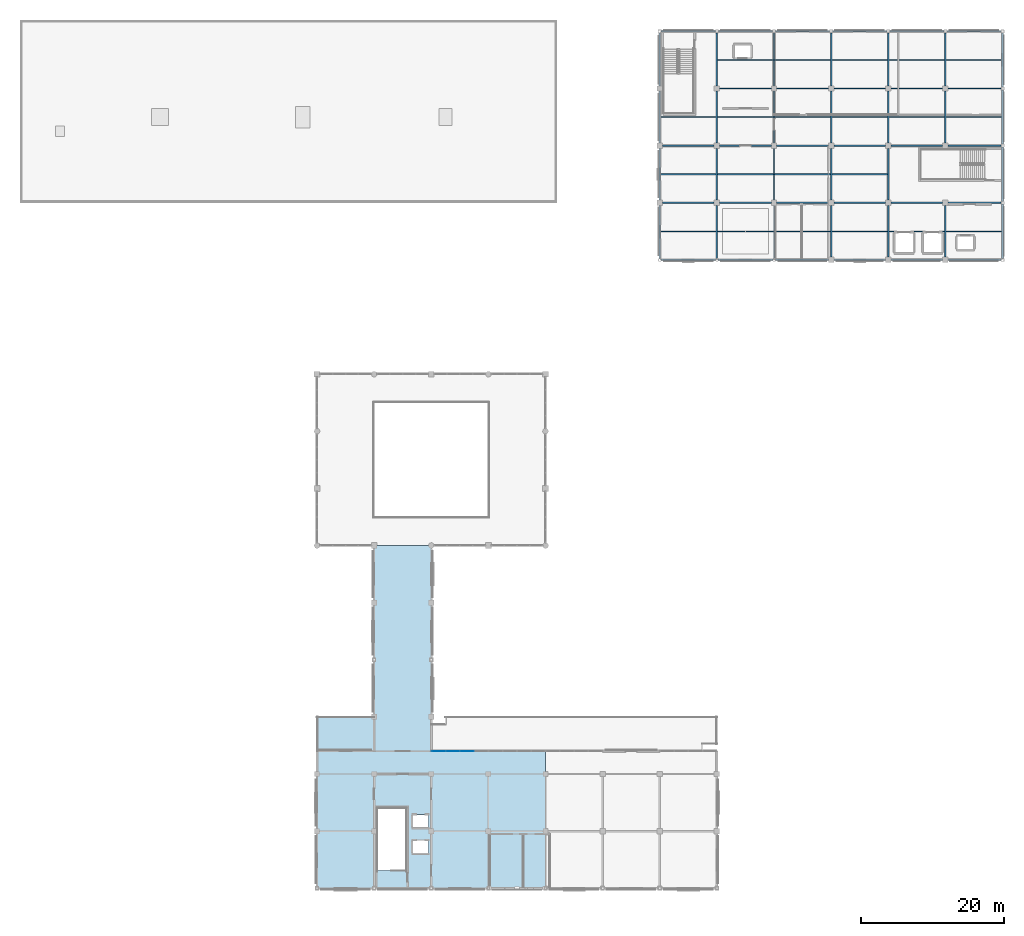
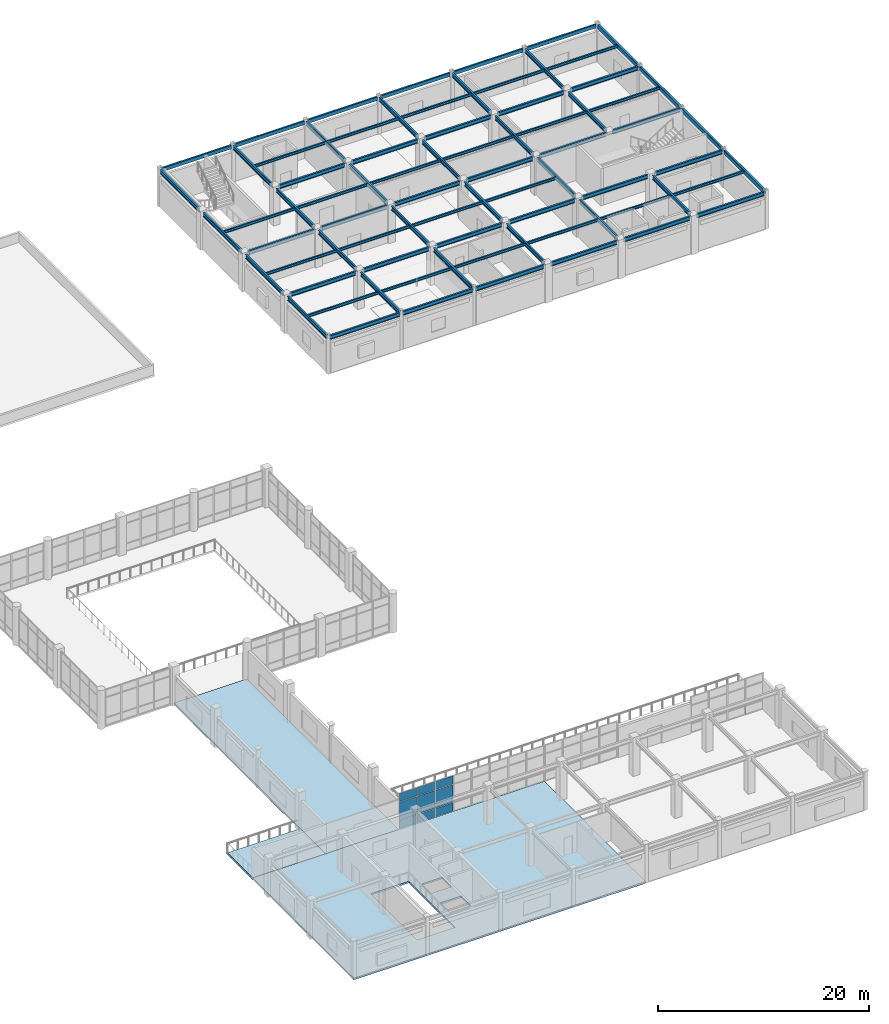
# One storey, part 26 of 42: 77 beams, 9 plates, 3 slabs, 1 element without a shape of its own.
"""IFC4 building model written with IfcOpenShell, lengths in metres."""

from ifc_helpers import new_model, si_unit, direction, frame, origin, origin_2d, place, context, subcontext, project, spatial, polyline, rectangle, hollow_rectangle, i_section, outline, extrude, material, layer, layer_set, material_profile, profile_set, type_object, element, aggregate, save


model = new_model("IFC4")

# Units and contexts
model_context = context("Model", 3, precision=1e-05, world=origin(), true_north=direction((0.0, 1.0)))
body_context = subcontext(model_context, "Body", "Model", "MODEL_VIEW")
ifc_project = project(units=[si_unit("LENGTHUNIT", "METRE"), si_unit("AREAUNIT", "SQUARE_METRE"), si_unit("VOLUMEUNIT", "CUBIC_METRE"), si_unit("PLANEANGLEUNIT", "RADIAN"), si_unit("MASSUNIT", "GRAM", prefix="KILO")], contexts=[model_context])

# Site, building, storey
site_placement = place(None, origin())
site = spatial("IfcSite", under=ifc_project, at=site_placement, CompositionType="ELEMENT")
building_placement = place(site_placement, origin())
building = spatial("IfcBuilding", under=site, at=building_placement, Name="Solmirada Galleria", CompositionType="ELEMENT")
storey_placement = place(building_placement, frame((0.0, 0.0, 28.39990234375)))
storey = spatial("IfcBuildingStorey", under=building, at=storey_placement, Name="L06", CompositionType="ELEMENT", Elevation=28.39990234375)

# Beams
ifc_material_1 = material(Name="Steel S355 / ASTM A992 Grade 50", Category="steel")
ifc_material_profile_1 = material_profile(ifc_material_1, i_section(OverallWidth=0.194091796875, OverallDepth=0.468994140625, WebThickness=0.0126953125, FlangeThickness=0.0205078125, FilletRadius=0.013916015625, at=origin_2d()), Name="W18X71")
ifc_profile_set_1 = profile_set([ifc_material_profile_1], Name="Steel S355 / ASTM A992 Grade 50")
beam_type_1 = type_object("IfcBeamType", Name="BM-GIRD-W18B", PredefinedType="BEAM", material=ifc_profile_set_1)
for number, where, z_axis, x_axis, name in (
    (1, (128.375, 96.0, 4.065673828125), (1.0, 0.0, 0.0), (0.0, 1.0, 0.0), "Primary beam L07 X(128..136, 96)"),
    (2, (136.375, 96.0, 4.065673828125), (1.0, 0.0, 0.0), (0.0, 1.0, 0.0), "Primary beam L07 X(136..144, 96)"),
    (3, (136.375, 112.0, 4.065673828125), (1.0, 0.0, 0.0), (0.0, 1.0, 0.0), "Primary beam L07 X(136..144, 112)"),
    (4, (144.375, 96.0, 4.065673828125), (1.0, 0.0, 0.0), (0.0, 1.0, 0.0), "Primary beam L07 X(144..152, 96)"),
    (5, (144.375, 112.0, 4.065673828125), (1.0, 0.0, 0.0), (0.0, 1.0, 0.0), "Primary beam L07 X(144..152, 112)"),
    (6, (152.375, 96.0, 4.065673828125), (1.0, 0.0, 0.0), (0.0, 1.0, 0.0), "Primary beam L07 X(152..160, 96)"),
    (7, (152.375, 112.0, 4.065673828125), (1.0, 0.0, 0.0), (0.0, 1.0, 0.0), "Primary beam L07 X(152..160, 112)"),
    (8, (160.375, 96.0, 4.065673828125), (1.0, 0.0, 0.0), (0.0, 1.0, 0.0), "Primary beam L07 X(160..168, 96)"),
    (9, (160.375, 112.0, 4.065673828125), (1.0, 0.0, 0.0), (0.0, 1.0, 0.0), "Primary beam L07 X(160..168, 112)"),
):
    element("IfcBeam", number, at=place(storey_placement, frame(where, z_axis=z_axis, x_axis=x_axis)), inside=storey, type_object=beam_type_1, Name=name, PredefinedType="BEAM", context=body_context, shape_type="SweptSolid", body=[
        extrude(i_section(OverallWidth=0.194091796875, OverallDepth=0.468994140625, WebThickness=0.0126953125, FlangeThickness=0.0205078125, FilletRadius=0.013916015625, at=origin_2d()), origin(), (0.0, 0.0, 1.0), 7.25),
    ])
for number, where, z_axis, x_axis, name in (
    (10, (168.375, 96.0, 4.065673828125), (1.0, 0.0, 0.0), (0.0, 1.0, 0.0), "Primary beam L07 X(168..176, 96)"),
    (11, (168.375, 112.0, 4.065673828125), (1.0, 0.0, 0.0), (0.0, 1.0, 0.0), "Primary beam L07 X(168..176, 112)"),
):
    element("IfcBeam", number, at=place(storey_placement, frame(where, z_axis=z_axis, x_axis=x_axis)), inside=storey, type_object=beam_type_1, Name=name, PredefinedType="BEAM", context=body_context, shape_type="SweptSolid", body=[
        extrude(i_section(OverallWidth=0.194091796875, OverallDepth=0.468994140625, WebThickness=0.0126953125, FlangeThickness=0.0205078125, FilletRadius=0.013916015625, at=origin_2d()), origin(), (0.0, 0.0, 1.0), 7.422119140625),
    ])
ifc_material_profile_2 = material_profile(ifc_material_1, i_section(OverallWidth=0.193115234375, OverallDepth=0.466064453125, WebThickness=0.011474609375, FlangeThickness=0.01904296875, FilletRadius=0.013916015625, at=origin_2d()), Name="W18X65")
ifc_profile_set_2 = profile_set([ifc_material_profile_2], Name="Steel S355 / ASTM A992 Grade 50")
beam_type_2 = type_object("IfcBeamType", Name="BM-GIRD-W18C", PredefinedType="BEAM", material=ifc_profile_set_2)
beam_1_placement = place(storey_placement, frame((128.17041015625, 88.0, 4.067138671875), z_axis=(1.0, 0.0, 0.0), x_axis=(0.0, 1.0, 0.0)))
element("IfcBeam", 12, at=beam_1_placement, inside=storey, type_object=beam_type_2, Name="Primary beam L07 X(128..136, 88)", PredefinedType="BEAM", context=body_context, shape_type="SweptSolid", body=[
    extrude(i_section(OverallWidth=0.193115234375, OverallDepth=0.466064453125, WebThickness=0.011474609375, FlangeThickness=0.01904296875, FilletRadius=0.013916015625, at=origin_2d()), origin(), (0.0, 0.0, 1.0), 7.6591796875),
])
beam_2_placement = place(storey_placement, frame((128.375, 104.0, 4.067138671875), z_axis=(1.0, 0.0, 0.0), x_axis=(0.0, 1.0, 0.0)))
element("IfcBeam", 13, at=beam_2_placement, inside=storey, type_object=beam_type_2, Name="Primary beam L07 X(128..136, 104)", PredefinedType="BEAM", context=body_context, shape_type="SweptSolid", body=[
    extrude(i_section(OverallWidth=0.193115234375, OverallDepth=0.466064453125, WebThickness=0.011474609375, FlangeThickness=0.01904296875, FilletRadius=0.013916015625, at=origin_2d()), origin(), (0.0, 0.0, 1.0), 7.25),
])
beam_3_placement = place(storey_placement, frame((136.17041015625, 88.0, 4.067138671875), z_axis=(1.0, 0.0, 0.0), x_axis=(0.0, 1.0, 0.0)))
element("IfcBeam", 14, at=beam_3_placement, inside=storey, type_object=beam_type_2, Name="Primary beam L07 X(136..144, 88)", PredefinedType="BEAM", context=body_context, shape_type="SweptSolid", body=[
    extrude(i_section(OverallWidth=0.193115234375, OverallDepth=0.466064453125, WebThickness=0.011474609375, FlangeThickness=0.01904296875, FilletRadius=0.013916015625, at=origin_2d()), origin(), (0.0, 0.0, 1.0), 7.6591796875),
])
beam_4_placement = place(storey_placement, frame((136.375, 104.0, 4.067138671875), z_axis=(1.0, 0.0, 0.0), x_axis=(0.0, 1.0, 0.0)))
element("IfcBeam", 15, at=beam_4_placement, inside=storey, type_object=beam_type_2, Name="Primary beam L07 X(136..144, 104)", PredefinedType="BEAM", context=body_context, shape_type="SweptSolid", body=[
    extrude(i_section(OverallWidth=0.193115234375, OverallDepth=0.466064453125, WebThickness=0.011474609375, FlangeThickness=0.01904296875, FilletRadius=0.013916015625, at=origin_2d()), origin(), (0.0, 0.0, 1.0), 7.25),
])
beam_5_placement = place(storey_placement, frame((144.17041015625, 88.0, 4.067138671875), z_axis=(1.0, 0.0, 0.0), x_axis=(0.0, 1.0, 0.0)))
element("IfcBeam", 16, at=beam_5_placement, inside=storey, type_object=beam_type_2, Name="Primary beam L07 X(144..152, 88)", PredefinedType="BEAM", context=body_context, shape_type="SweptSolid", body=[
    extrude(i_section(OverallWidth=0.193115234375, OverallDepth=0.466064453125, WebThickness=0.011474609375, FlangeThickness=0.01904296875, FilletRadius=0.013916015625, at=origin_2d()), origin(), (0.0, 0.0, 1.0), 7.45458984375),
])
for number, where, z_axis, x_axis, name in (
    (17, (144.375, 104.0, 4.067138671875), (1.0, 0.0, 0.0), (0.0, 1.0, 0.0), "Primary beam L07 X(144..152, 104)"),
    (18, (152.375, 88.0, 4.067138671875), (1.0, 0.0, 0.0), (0.0, 1.0, 0.0), "Primary beam L07 X(152..160, 88)"),
    (19, (152.375, 104.0, 4.067138671875), (1.0, 0.0, 0.0), (0.0, 1.0, 0.0), "Primary beam L07 X(152..160, 104)"),
    (20, (160.375, 88.0, 4.067138671875), (1.0, 0.0, 0.0), (0.0, 1.0, 0.0), "Primary beam L07 X(160..168, 88)"),
    (21, (160.375, 104.0, 4.067138671875), (1.0, 0.0, 0.0), (0.0, 1.0, 0.0), "Primary beam L07 X(160..168, 104)"),
):
    element("IfcBeam", number, at=place(storey_placement, frame(where, z_axis=z_axis, x_axis=x_axis)), inside=storey, type_object=beam_type_2, Name=name, PredefinedType="BEAM", context=body_context, shape_type="SweptSolid", body=[
        extrude(i_section(OverallWidth=0.193115234375, OverallDepth=0.466064453125, WebThickness=0.011474609375, FlangeThickness=0.01904296875, FilletRadius=0.013916015625, at=origin_2d()), origin(), (0.0, 0.0, 1.0), 7.25),
    ])
for number, where, z_axis, x_axis, name in (
    (22, (168.375, 88.0, 4.067138671875), (1.0, 0.0, 0.0), (0.0, 1.0, 0.0), "Primary beam L07 X(168..176, 88)"),
    (23, (168.375, 104.0, 4.067138671875), (1.0, 0.0, 0.0), (0.0, 1.0, 0.0), "Primary beam L07 X(168..176, 104)"),
):
    element("IfcBeam", number, at=place(storey_placement, frame(where, z_axis=z_axis, x_axis=x_axis)), inside=storey, type_object=beam_type_2, Name=name, PredefinedType="BEAM", context=body_context, shape_type="SweptSolid", body=[
        extrude(i_section(OverallWidth=0.193115234375, OverallDepth=0.466064453125, WebThickness=0.011474609375, FlangeThickness=0.01904296875, FilletRadius=0.013916015625, at=origin_2d()), origin(), (0.0, 0.0, 1.0), 7.422119140625),
    ])
beam_6_placement = place(storey_placement, frame((128.0, 88.17041015625, 4.067138671875), z_axis=(0.0, 1.0, 0.0), x_axis=(-1.0, 0.0, 0.0)))
element("IfcBeam", 24, at=beam_6_placement, inside=storey, type_object=beam_type_2, Name="Primary girder L07 Y(128, 88..96)", PredefinedType="BEAM", context=body_context, shape_type="SweptSolid", body=[
    extrude(i_section(OverallWidth=0.193115234375, OverallDepth=0.466064453125, WebThickness=0.011474609375, FlangeThickness=0.01904296875, FilletRadius=0.013916015625, at=origin_2d()), origin(), (0.0, 0.0, 1.0), 7.45458984375),
])
for number, where, z_axis, x_axis, name in (
    (25, (128.0, 96.375, 4.067138671875), (0.0, 1.0, 0.0), (-1.0, 0.0, 0.0), "Primary girder L07 Y(128, 96..104)"),
    (26, (128.0, 104.375, 4.067138671875), (0.0, 1.0, 0.0), (-1.0, 0.0, 0.0), "Primary girder L07 Y(128, 104..112)"),
):
    element("IfcBeam", number, at=place(storey_placement, frame(where, z_axis=z_axis, x_axis=x_axis)), inside=storey, type_object=beam_type_2, Name=name, PredefinedType="BEAM", context=body_context, shape_type="SweptSolid", body=[
        extrude(i_section(OverallWidth=0.193115234375, OverallDepth=0.466064453125, WebThickness=0.011474609375, FlangeThickness=0.01904296875, FilletRadius=0.013916015625, at=origin_2d()), origin(), (0.0, 0.0, 1.0), 7.25),
    ])
beam_7_placement = place(storey_placement, frame((128.0, 112.375, 4.067138671875), z_axis=(0.0, 1.0, 0.0), x_axis=(-1.0, 0.0, 0.0)))
element("IfcBeam", 27, at=beam_7_placement, inside=storey, type_object=beam_type_2, Name="Primary girder L07 Y(128, 112..120)", PredefinedType="BEAM", context=body_context, shape_type="SweptSolid", body=[
    extrude(i_section(OverallWidth=0.193115234375, OverallDepth=0.466064453125, WebThickness=0.011474609375, FlangeThickness=0.01904296875, FilletRadius=0.013916015625, at=origin_2d()), origin(), (0.0, 0.0, 1.0), 7.422119140625),
])
beam_8_placement = place(storey_placement, frame((136.0, 88.17041015625, 4.067138671875), z_axis=(0.0, 1.0, 0.0), x_axis=(-1.0, 0.0, 0.0)))
element("IfcBeam", 28, at=beam_8_placement, inside=storey, type_object=beam_type_2, Name="Primary girder L07 Y(136, 88..96)", PredefinedType="BEAM", context=body_context, shape_type="SweptSolid", body=[
    extrude(i_section(OverallWidth=0.193115234375, OverallDepth=0.466064453125, WebThickness=0.011474609375, FlangeThickness=0.01904296875, FilletRadius=0.013916015625, at=origin_2d()), origin(), (0.0, 0.0, 1.0), 7.45458984375),
])
for number, where, z_axis, x_axis, name in (
    (29, (136.0, 96.375, 4.067138671875), (0.0, 1.0, 0.0), (-1.0, 0.0, 0.0), "Primary girder L07 Y(136, 96..104)"),
    (30, (136.0, 104.375, 4.067138671875), (0.0, 1.0, 0.0), (-1.0, 0.0, 0.0), "Primary girder L07 Y(136, 104..112)"),
):
    element("IfcBeam", number, at=place(storey_placement, frame(where, z_axis=z_axis, x_axis=x_axis)), inside=storey, type_object=beam_type_2, Name=name, PredefinedType="BEAM", context=body_context, shape_type="SweptSolid", body=[
        extrude(i_section(OverallWidth=0.193115234375, OverallDepth=0.466064453125, WebThickness=0.011474609375, FlangeThickness=0.01904296875, FilletRadius=0.013916015625, at=origin_2d()), origin(), (0.0, 0.0, 1.0), 7.25),
    ])
beam_9_placement = place(storey_placement, frame((136.0, 112.375, 4.067138671875), z_axis=(0.0, 1.0, 0.0), x_axis=(-1.0, 0.0, 0.0)))
element("IfcBeam", 31, at=beam_9_placement, inside=storey, type_object=beam_type_2, Name="Primary girder L07 Y(136, 112..120)", PredefinedType="BEAM", context=body_context, shape_type="SweptSolid", body=[
    extrude(i_section(OverallWidth=0.193115234375, OverallDepth=0.466064453125, WebThickness=0.011474609375, FlangeThickness=0.01904296875, FilletRadius=0.013916015625, at=origin_2d()), origin(), (0.0, 0.0, 1.0), 7.422119140625),
])
beam_10_placement = place(storey_placement, frame((144.0, 88.17041015625, 4.067138671875), z_axis=(0.0, 1.0, 0.0), x_axis=(-1.0, 0.0, 0.0)))
element("IfcBeam", 32, at=beam_10_placement, inside=storey, type_object=beam_type_2, Name="Primary girder L07 Y(144, 88..96)", PredefinedType="BEAM", context=body_context, shape_type="SweptSolid", body=[
    extrude(i_section(OverallWidth=0.193115234375, OverallDepth=0.466064453125, WebThickness=0.011474609375, FlangeThickness=0.01904296875, FilletRadius=0.013916015625, at=origin_2d()), origin(), (0.0, 0.0, 1.0), 7.45458984375),
])
for number, where, z_axis, x_axis, name in (
    (33, (144.0, 96.375, 4.067138671875), (0.0, 1.0, 0.0), (-1.0, 0.0, 0.0), "Primary girder L07 Y(144, 96..104)"),
    (34, (144.0, 104.375, 4.067138671875), (0.0, 1.0, 0.0), (-1.0, 0.0, 0.0), "Primary girder L07 Y(144, 104..112)"),
):
    element("IfcBeam", number, at=place(storey_placement, frame(where, z_axis=z_axis, x_axis=x_axis)), inside=storey, type_object=beam_type_2, Name=name, PredefinedType="BEAM", context=body_context, shape_type="SweptSolid", body=[
        extrude(i_section(OverallWidth=0.193115234375, OverallDepth=0.466064453125, WebThickness=0.011474609375, FlangeThickness=0.01904296875, FilletRadius=0.013916015625, at=origin_2d()), origin(), (0.0, 0.0, 1.0), 7.25),
    ])
beam_11_placement = place(storey_placement, frame((144.0, 112.375, 4.067138671875), z_axis=(0.0, 1.0, 0.0), x_axis=(-1.0, 0.0, 0.0)))
element("IfcBeam", 35, at=beam_11_placement, inside=storey, type_object=beam_type_2, Name="Primary girder L07 Y(144, 112..120)", PredefinedType="BEAM", context=body_context, shape_type="SweptSolid", body=[
    extrude(i_section(OverallWidth=0.193115234375, OverallDepth=0.466064453125, WebThickness=0.011474609375, FlangeThickness=0.01904296875, FilletRadius=0.013916015625, at=origin_2d()), origin(), (0.0, 0.0, 1.0), 7.422119140625),
])
for number, where, z_axis, x_axis, name in (
    (36, (152.0, 88.375, 4.067138671875), (0.0, 1.0, 0.0), (-1.0, 0.0, 0.0), "Primary girder L07 Y(152, 88..96)"),
    (37, (152.0, 96.375, 4.067138671875), (0.0, 1.0, 0.0), (-1.0, 0.0, 0.0), "Primary girder L07 Y(152, 96..104)"),
    (38, (152.0, 104.375, 4.067138671875), (0.0, 1.0, 0.0), (-1.0, 0.0, 0.0), "Primary girder L07 Y(152, 104..112)"),
):
    element("IfcBeam", number, at=place(storey_placement, frame(where, z_axis=z_axis, x_axis=x_axis)), inside=storey, type_object=beam_type_2, Name=name, PredefinedType="BEAM", context=body_context, shape_type="SweptSolid", body=[
        extrude(i_section(OverallWidth=0.193115234375, OverallDepth=0.466064453125, WebThickness=0.011474609375, FlangeThickness=0.01904296875, FilletRadius=0.013916015625, at=origin_2d()), origin(), (0.0, 0.0, 1.0), 7.25),
    ])
beam_12_placement = place(storey_placement, frame((152.0, 112.375, 4.067138671875), z_axis=(0.0, 1.0, 0.0), x_axis=(-1.0, 0.0, 0.0)))
element("IfcBeam", 39, at=beam_12_placement, inside=storey, type_object=beam_type_2, Name="Primary girder L07 Y(152, 112..120)", PredefinedType="BEAM", context=body_context, shape_type="SweptSolid", body=[
    extrude(i_section(OverallWidth=0.193115234375, OverallDepth=0.466064453125, WebThickness=0.011474609375, FlangeThickness=0.01904296875, FilletRadius=0.013916015625, at=origin_2d()), origin(), (0.0, 0.0, 1.0), 7.422119140625),
])
for number, where, z_axis, x_axis, name in (
    (40, (160.0, 88.375, 4.067138671875), (0.0, 1.0, 0.0), (-1.0, 0.0, 0.0), "Primary girder L07 Y(160, 88..96)"),
    (41, (160.0, 96.375, 4.067138671875), (0.0, 1.0, 0.0), (-1.0, 0.0, 0.0), "Primary girder L07 Y(160, 96..104)"),
    (42, (160.0, 104.375, 4.067138671875), (0.0, 1.0, 0.0), (-1.0, 0.0, 0.0), "Primary girder L07 Y(160, 104..112)"),
):
    element("IfcBeam", number, at=place(storey_placement, frame(where, z_axis=z_axis, x_axis=x_axis)), inside=storey, type_object=beam_type_2, Name=name, PredefinedType="BEAM", context=body_context, shape_type="SweptSolid", body=[
        extrude(i_section(OverallWidth=0.193115234375, OverallDepth=0.466064453125, WebThickness=0.011474609375, FlangeThickness=0.01904296875, FilletRadius=0.013916015625, at=origin_2d()), origin(), (0.0, 0.0, 1.0), 7.25),
    ])
beam_13_placement = place(storey_placement, frame((160.0, 112.375, 4.067138671875), z_axis=(0.0, 1.0, 0.0), x_axis=(-1.0, 0.0, 0.0)))
element("IfcBeam", 43, at=beam_13_placement, inside=storey, type_object=beam_type_2, Name="Primary girder L07 Y(160, 112..120)", PredefinedType="BEAM", context=body_context, shape_type="SweptSolid", body=[
    extrude(i_section(OverallWidth=0.193115234375, OverallDepth=0.466064453125, WebThickness=0.011474609375, FlangeThickness=0.01904296875, FilletRadius=0.013916015625, at=origin_2d()), origin(), (0.0, 0.0, 1.0), 7.422119140625),
])
for number, where, z_axis, x_axis, name in (
    (44, (168.0, 88.375, 4.067138671875), (0.0, 1.0, 0.0), (-1.0, 0.0, 0.0), "Primary girder L07 Y(168, 88..96)"),
    (45, (168.0, 104.375, 4.067138671875), (0.0, 1.0, 0.0), (-1.0, 0.0, 0.0), "Primary girder L07 Y(168, 104..112)"),
):
    element("IfcBeam", number, at=place(storey_placement, frame(where, z_axis=z_axis, x_axis=x_axis)), inside=storey, type_object=beam_type_2, Name=name, PredefinedType="BEAM", context=body_context, shape_type="SweptSolid", body=[
        extrude(i_section(OverallWidth=0.193115234375, OverallDepth=0.466064453125, WebThickness=0.011474609375, FlangeThickness=0.01904296875, FilletRadius=0.013916015625, at=origin_2d()), origin(), (0.0, 0.0, 1.0), 7.25),
    ])
beam_14_placement = place(storey_placement, frame((168.0, 112.375, 4.067138671875), z_axis=(0.0, 1.0, 0.0), x_axis=(-1.0, 0.0, 0.0)))
element("IfcBeam", 46, at=beam_14_placement, inside=storey, type_object=beam_type_2, Name="Primary girder L07 Y(168, 112..120)", PredefinedType="BEAM", context=body_context, shape_type="SweptSolid", body=[
    extrude(i_section(OverallWidth=0.193115234375, OverallDepth=0.466064453125, WebThickness=0.011474609375, FlangeThickness=0.01904296875, FilletRadius=0.013916015625, at=origin_2d()), origin(), (0.0, 0.0, 1.0), 7.422119140625),
])
ifc_material_profile_3 = material_profile(ifc_material_1, i_section(OverallWidth=0.1650390625, OverallDepth=0.31005859375, WebThickness=0.005859375, FlangeThickness=0.009765625, FilletRadius=0.010009765625, at=origin_2d()), Name="W12X26")
ifc_profile_set_3 = profile_set([ifc_material_profile_3], Name="Steel S355 / ASTM A992 Grade 50")
beam_type_3 = type_object("IfcBeamType", Name="BM-JST-W12", PredefinedType="JOIST", material=ifc_profile_set_3)
for number, where, z_axis, x_axis, name in (
    (47, (128.096435546875, 92.0, 4.14501953125), (1.0, 0.0, 0.0), (0.0, 1.0, 0.0), "Composite floor joist L07 (128..136, 92.0)"),
    (48, (128.096435546875, 100.0, 4.14501953125), (1.0, 0.0, 0.0), (0.0, 1.0, 0.0), "Composite floor joist L07 (128..136, 100.0)"),
    (49, (128.096435546875, 108.0, 4.14501953125), (1.0, 0.0, 0.0), (0.0, 1.0, 0.0), "Composite floor joist L07 (128..136, 108.0)"),
    (50, (136.096435546875, 92.0, 4.14501953125), (1.0, 0.0, 0.0), (0.0, 1.0, 0.0), "Composite floor joist L07 (136..144, 92.0)"),
    (51, (136.096435546875, 100.0, 4.14501953125), (1.0, 0.0, 0.0), (0.0, 1.0, 0.0), "Composite floor joist L07 (136..144, 100.0)"),
    (52, (136.096435546875, 108.0, 4.14501953125), (1.0, 0.0, 0.0), (0.0, 1.0, 0.0), "Composite floor joist L07 (136..144, 108.0)"),
    (53, (136.096435546875, 116.0, 4.14501953125), (1.0, 0.0, 0.0), (0.0, 1.0, 0.0), "Composite floor joist L07 (136..144, 116.0)"),
    (54, (144.096435546875, 92.0, 4.14501953125), (1.0, 0.0, 0.0), (0.0, 1.0, 0.0), "Composite floor joist L07 (144..152, 92.0)"),
    (55, (144.096435546875, 100.0, 4.14501953125), (1.0, 0.0, 0.0), (0.0, 1.0, 0.0), "Composite floor joist L07 (144..152, 100.0)"),
    (56, (144.096435546875, 108.0, 4.14501953125), (1.0, 0.0, 0.0), (0.0, 1.0, 0.0), "Composite floor joist L07 (144..152, 108.0)"),
    (57, (144.096435546875, 116.0, 4.14501953125), (1.0, 0.0, 0.0), (0.0, 1.0, 0.0), "Composite floor joist L07 (144..152, 116.0)"),
    (58, (152.096435546875, 92.0, 4.14501953125), (1.0, 0.0, 0.0), (0.0, 1.0, 0.0), "Composite floor joist L07 (152..160, 92.0)"),
    (59, (152.096435546875, 100.0, 4.14501953125), (1.0, 0.0, 0.0), (0.0, 1.0, 0.0), "Composite floor joist L07 (152..160, 100.0)"),
    (60, (152.096435546875, 108.0, 4.14501953125), (1.0, 0.0, 0.0), (0.0, 1.0, 0.0), "Composite floor joist L07 (152..160, 108.0)"),
    (61, (152.096435546875, 116.0, 4.14501953125), (1.0, 0.0, 0.0), (0.0, 1.0, 0.0), "Composite floor joist L07 (152..160, 116.0)"),
    (62, (160.096435546875, 92.0, 4.14501953125), (1.0, 0.0, 0.0), (0.0, 1.0, 0.0), "Composite floor joist L07 (160..168, 92.0)"),
    (63, (160.096435546875, 108.0, 4.14501953125), (1.0, 0.0, 0.0), (0.0, 1.0, 0.0), "Composite floor joist L07 (160..168, 108.0)"),
    (64, (160.096435546875, 116.0, 4.14501953125), (1.0, 0.0, 0.0), (0.0, 1.0, 0.0), "Composite floor joist L07 (160..168, 116.0)"),
):
    element("IfcBeam", number, at=place(storey_placement, frame(where, z_axis=z_axis, x_axis=x_axis)), inside=storey, type_object=beam_type_3, Name=name, PredefinedType="JOIST", context=body_context, shape_type="SweptSolid", body=[
        extrude(i_section(OverallWidth=0.1650390625, OverallDepth=0.31005859375, WebThickness=0.005859375, FlangeThickness=0.009765625, FilletRadius=0.010009765625, at=origin_2d()), origin(), (0.0, 0.0, 1.0), 7.80712890625),
    ])
for number, where, z_axis, x_axis, name in (
    (65, (168.096435546875, 92.0, 4.14501953125), (1.0, 0.0, 0.0), (0.0, 1.0, 0.0), "Composite floor joist L07 (168..176, 92.0)"),
    (66, (168.096435546875, 108.0, 4.14501953125), (1.0, 0.0, 0.0), (0.0, 1.0, 0.0), "Composite floor joist L07 (168..176, 108.0)"),
    (67, (168.096435546875, 116.0, 4.14501953125), (1.0, 0.0, 0.0), (0.0, 1.0, 0.0), "Composite floor joist L07 (168..176, 116.0)"),
):
    element("IfcBeam", number, at=place(storey_placement, frame(where, z_axis=z_axis, x_axis=x_axis)), inside=storey, type_object=beam_type_3, Name=name, PredefinedType="JOIST", context=body_context, shape_type="SweptSolid", body=[
        extrude(i_section(OverallWidth=0.1650390625, OverallDepth=0.31005859375, WebThickness=0.005859375, FlangeThickness=0.009765625, FilletRadius=0.010009765625, at=origin_2d()), origin(), (0.0, 0.0, 1.0), 7.776611328125),
    ])
ifc_material_2 = material(Name="Steel S355 / ASTM A500 Grade C", Category="steel")
ifc_material_profile_4 = material_profile(ifc_material_2, hollow_rectangle(XDim=0.202880859375, YDim=0.431884765625, WallThickness=0.01171875, InnerFilletRadius=0.01171875, OuterFilletRadius=0.023681640625, at=origin_2d()), Name="HSS17X8X1/2")
ifc_profile_set_4 = profile_set([ifc_material_profile_4], Name="Steel S355 / ASTM A500 Grade C")
beam_type_4 = type_object("IfcBeamType", Name="BM-SPAND-W16B", PredefinedType="SPANDREL", material=ifc_profile_set_4)
for number, where, z_axis, x_axis, name in (
    (68, (128.202880859375, 120.0, 4.083984375), (1.0, 0.0, 0.0), (0.0, 1.0, 0.0), "Primary beam L07 X(128..136, 120)"),
    (69, (136.202880859375, 120.0, 4.083984375), (1.0, 0.0, 0.0), (0.0, 1.0, 0.0), "Primary beam L07 X(136..144, 120)"),
    (70, (144.202880859375, 120.0, 4.083984375), (1.0, 0.0, 0.0), (0.0, 1.0, 0.0), "Primary beam L07 X(144..152, 120)"),
    (71, (152.202880859375, 120.0, 4.083984375), (1.0, 0.0, 0.0), (0.0, 1.0, 0.0), "Primary beam L07 X(152..160, 120)"),
    (72, (160.202880859375, 120.0, 4.083984375), (1.0, 0.0, 0.0), (0.0, 1.0, 0.0), "Primary beam L07 X(160..168, 120)"),
    (73, (168.202880859375, 120.0, 4.083984375), (1.0, 0.0, 0.0), (0.0, 1.0, 0.0), "Primary beam L07 X(168..176, 120)"),
):
    element("IfcBeam", number, at=place(storey_placement, frame(where, z_axis=z_axis, x_axis=x_axis)), inside=storey, type_object=beam_type_4, Name=name, PredefinedType="SPANDREL", context=body_context, shape_type="SweptSolid", body=[
        extrude(hollow_rectangle(XDim=0.202880859375, YDim=0.431884765625, WallThickness=0.01171875, InnerFilletRadius=0.01171875, OuterFilletRadius=0.023681640625, at=origin_2d()), origin(), (0.0, 0.0, 1.0), 7.59423828125),
    ])
ifc_material_profile_5 = material_profile(ifc_material_2, hollow_rectangle(XDim=0.25390625, YDim=0.45703125, WallThickness=0.01171875, InnerFilletRadius=0.01171875, OuterFilletRadius=0.023681640625, at=origin_2d()), Name="HSS18X10X1/2")
ifc_profile_set_5 = profile_set([ifc_material_profile_5], Name="Steel S355 / ASTM A500 Grade C")
beam_type_5 = type_object("IfcBeamType", Name="BM-SPAND-W18", PredefinedType="SPANDREL", material=ifc_profile_set_5)
for number, where, z_axis, x_axis, name in (
    (74, (176.0, 88.202880859375, 4.071533203125), (0.0, 1.0, 0.0), (-1.0, 0.0, 0.0), "Primary girder L07 Y(176, 88..96)"),
    (75, (176.0, 96.202880859375, 4.071533203125), (0.0, 1.0, 0.0), (-1.0, 0.0, 0.0), "Primary girder L07 Y(176, 96..104)"),
    (76, (176.0, 104.202880859375, 4.071533203125), (0.0, 1.0, 0.0), (-1.0, 0.0, 0.0), "Primary girder L07 Y(176, 104..112)"),
    (77, (176.0, 112.202880859375, 4.071533203125), (0.0, 1.0, 0.0), (-1.0, 0.0, 0.0), "Primary girder L07 Y(176, 112..120)"),
):
    element("IfcBeam", number, at=place(storey_placement, frame(where, z_axis=z_axis, x_axis=x_axis)), inside=storey, type_object=beam_type_5, Name=name, PredefinedType="SPANDREL", context=body_context, shape_type="SweptSolid", body=[
        extrude(hollow_rectangle(XDim=0.25390625, YDim=0.45703125, WallThickness=0.01171875, InnerFilletRadius=0.01171875, OuterFilletRadius=0.023681640625, at=origin_2d()), origin(), (0.0, 0.0, 1.0), 7.59423828125),
    ])

# Curtain wall, plates
ifc_material_3 = material(Name="Impact-resistant low-E double glazing", Category="glass")
curtain_wall_type = type_object("IfcCurtainWallType", Name="CW-FZ5-L06-B4-L080", PredefinedType="NOTDEFINED", material=ifc_material_3)
curtain_wall_placement = place(storey_placement, origin())
curtain_wall = element("IfcCurtainWall", 78, at=curtain_wall_placement, inside=storey, type_object=curtain_wall_type, Name="Terrace and arcade storefront CW-L06-198", PredefinedType="NOTDEFINED")
ifc_layer_1 = layer(ifc_material_3, 0.028076171875)
ifc_layer_set_1 = layer_set([ifc_layer_1], Name="Impact-resistant low-E double glazing")
plate_type = type_object("IfcPlateType", Name="CW-PNL-CW39-T28", PredefinedType="CURTAIN_PANEL", material=ifc_layer_set_1)
plate_1_placement = place(storey_placement, frame((97.014892578125, 19.199951171875, 0.06005859375), z_axis=(0.0, 0.0, 1.0), x_axis=(1.0, 0.0, 0.0)))
plate_1 = element("IfcPlate", 79, at=plate_1_placement, type_object=plate_type, Name="CW39 panel 1.1", PredefinedType="CURTAIN_PANEL", context=body_context, shape_type="SweptSolid", body=[
    extrude(rectangle(XDim=1.909912109375, YDim=0.028076171875, at=origin_2d()), origin(), (0.0, 0.0, 1.0), 0.949951171875),
])
plate_2_placement = place(storey_placement, frame((97.014892578125, 19.199951171875, 1.070068359375), z_axis=(0.0, 0.0, 1.0), x_axis=(1.0, 0.0, 0.0)))
plate_2 = element("IfcPlate", 80, at=plate_2_placement, type_object=plate_type, Name="CW39 panel 1.2", PredefinedType="CURTAIN_PANEL", context=body_context, shape_type="SweptSolid", body=[
    extrude(rectangle(XDim=1.909912109375, YDim=0.028076171875, at=origin_2d()), origin(), (0.0, 0.0, 1.0), 2.080078125),
])
plate_3_placement = place(storey_placement, frame((97.014892578125, 19.199951171875, 3.2099609375), z_axis=(0.0, 0.0, 1.0), x_axis=(1.0, 0.0, 0.0)))
plate_3 = element("IfcPlate", 81, at=plate_3_placement, type_object=plate_type, Name="CW39 panel 1.3", PredefinedType="CURTAIN_PANEL", context=body_context, shape_type="SweptSolid", body=[
    extrude(rectangle(XDim=1.909912109375, YDim=0.028076171875, at=origin_2d()), origin(), (0.0, 0.0, 1.0), 0.949951171875),
])
plate_4_placement = place(storey_placement, frame((99.0, 19.199951171875, 0.06005859375), z_axis=(0.0, 0.0, 1.0), x_axis=(1.0, 0.0, 0.0)))
plate_4 = element("IfcPlate", 82, at=plate_4_placement, type_object=plate_type, Name="CW39 panel 2.1", PredefinedType="CURTAIN_PANEL", context=body_context, shape_type="SweptSolid", body=[
    extrude(rectangle(XDim=1.93994140625, YDim=0.028076171875, at=origin_2d()), origin(), (0.0, 0.0, 1.0), 0.949951171875),
])
plate_5_placement = place(storey_placement, frame((99.0, 19.199951171875, 1.070068359375), z_axis=(0.0, 0.0, 1.0), x_axis=(1.0, 0.0, 0.0)))
plate_5 = element("IfcPlate", 83, at=plate_5_placement, type_object=plate_type, Name="CW39 panel 2.2", PredefinedType="CURTAIN_PANEL", context=body_context, shape_type="SweptSolid", body=[
    extrude(rectangle(XDim=1.93994140625, YDim=0.028076171875, at=origin_2d()), origin(), (0.0, 0.0, 1.0), 2.080078125),
])
plate_6_placement = place(storey_placement, frame((99.0, 19.199951171875, 3.2099609375), z_axis=(0.0, 0.0, 1.0), x_axis=(1.0, 0.0, 0.0)))
plate_6 = element("IfcPlate", 84, at=plate_6_placement, type_object=plate_type, Name="CW39 panel 2.3", PredefinedType="CURTAIN_PANEL", context=body_context, shape_type="SweptSolid", body=[
    extrude(rectangle(XDim=1.93994140625, YDim=0.028076171875, at=origin_2d()), origin(), (0.0, 0.0, 1.0), 0.949951171875),
])
plate_7_placement = place(storey_placement, frame((101.0, 19.199951171875, 0.06005859375), z_axis=(0.0, 0.0, 1.0), x_axis=(1.0, 0.0, 0.0)))
plate_7 = element("IfcPlate", 85, at=plate_7_placement, type_object=plate_type, Name="CW39 panel 3.1", PredefinedType="CURTAIN_PANEL", context=body_context, shape_type="SweptSolid", body=[
    extrude(rectangle(XDim=1.93994140625, YDim=0.028076171875, at=origin_2d()), origin(), (0.0, 0.0, 1.0), 0.949951171875),
])
plate_8_placement = place(storey_placement, frame((101.0, 19.199951171875, 1.070068359375), z_axis=(0.0, 0.0, 1.0), x_axis=(1.0, 0.0, 0.0)))
plate_8 = element("IfcPlate", 86, at=plate_8_placement, type_object=plate_type, Name="CW39 panel 3.2", PredefinedType="CURTAIN_PANEL", context=body_context, shape_type="SweptSolid", body=[
    extrude(rectangle(XDim=1.93994140625, YDim=0.028076171875, at=origin_2d()), origin(), (0.0, 0.0, 1.0), 2.080078125),
])
plate_9_placement = place(storey_placement, frame((101.0, 19.199951171875, 3.2099609375), z_axis=(0.0, 0.0, 1.0), x_axis=(1.0, 0.0, 0.0)))
plate_9 = element("IfcPlate", 87, at=plate_9_placement, type_object=plate_type, Name="CW39 panel 3.3", PredefinedType="CURTAIN_PANEL", context=body_context, shape_type="SweptSolid", body=[
    extrude(rectangle(XDim=1.93994140625, YDim=0.028076171875, at=origin_2d()), origin(), (0.0, 0.0, 1.0), 0.949951171875),
])
aggregate(curtain_wall, [plate_1, plate_2, plate_3, plate_4, plate_5, plate_6, plate_7, plate_8, plate_9])

# Slabs
ifc_material_4 = material(Name="Concrete C35/45", Category="concrete")
ifc_layer_2 = layer(ifc_material_4, 0.199951171875)
ifc_layer_set_2 = layer_set([ifc_layer_2], Name="Concrete C35/45")
slab_type_1 = type_object("IfcSlabType", Name="SLB-FLOOR-200", PredefinedType="FLOOR", material=ifc_layer_set_2)
slab_1_placement = place(storey_placement, frame((0.0, 0.0, -0.199951171875)))
element("IfcSlab", 88, at=slab_1_placement, inside=storey, type_object=slab_type_1, Name="Slab L06-SOUTH-W", PredefinedType="FLOOR", context=body_context, shape_type="SweptSolid", body=[
    extrude(outline(polyline([(80.0, 0.0), (112.0, 0.0), (112.0, 19.199951171875), (80.0, 19.199951171875), (80.0, 0.0)]), holes=[polyline([(88.39990234375, 2.5), (92.550048828125, 2.5), (92.550048828125, 11.300048828125), (88.39990234375, 11.300048828125), (88.39990234375, 2.5)]), polyline([(93.375, 4.89990234375), (95.625, 4.89990234375), (95.625, 6.699951171875), (93.375, 6.699951171875), (93.375, 4.89990234375)]), polyline([(93.375, 8.5), (95.625, 8.5), (95.625, 10.300048828125), (93.375, 10.300048828125), (93.375, 8.5)])]), origin(), (0.0, 0.0, 1.0), 0.199951171875),
])
slab_2_placement = place(storey_placement, frame((0.0, 0.0, -0.199951171875)))
element("IfcSlab", 89, at=slab_2_placement, inside=storey, type_object=slab_type_1, Name="Slab L06-BRG-S", PredefinedType="FLOOR", context=body_context, shape_type="SweptSolid", body=[
    extrude(outline(polyline([(88.0, 19.199951171875), (96.0, 19.199951171875), (96.0, 48.0), (88.0, 48.0), (88.0, 19.199951171875)])), origin(), (0.0, 0.0, 1.0), 0.199951171875),
])
ifc_layer_3 = layer(ifc_material_4, 0.239990234375)
ifc_layer_set_3 = layer_set([ifc_layer_3], Name="Concrete C35/45")
slab_type_2 = type_object("IfcSlabType", Name="SLB-TERR-240", PredefinedType="FLOOR", material=ifc_layer_set_3)
slab_3_placement = place(storey_placement, frame((0.0, 0.0, -0.239990234375)))
element("IfcSlab", 90, at=slab_3_placement, inside=storey, type_object=slab_type_2, Name="Slab L06-TERR-SW", PredefinedType="FLOOR", context=body_context, shape_type="SweptSolid", body=[
    extrude(outline(polyline([(80.0, 19.199951171875), (88.0, 19.199951171875), (88.0, 24.0), (80.0, 24.0), (80.0, 19.199951171875)])), origin(), (0.0, 0.0, 1.0), 0.239990234375),
])

save(model, "model.ifc")
